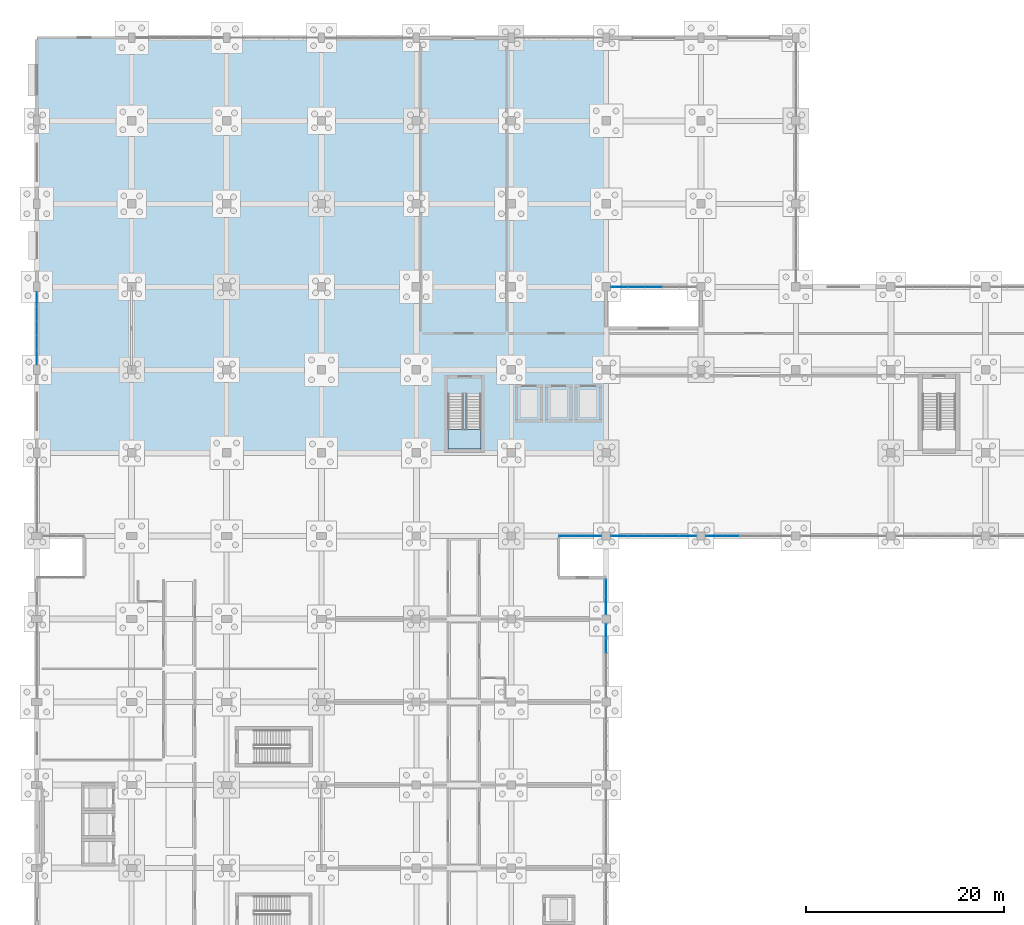
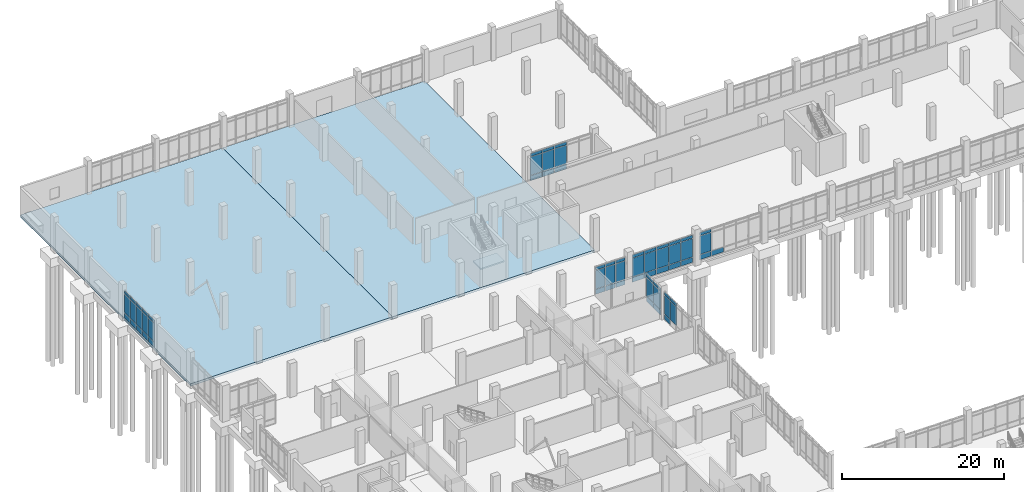
# One storey, part 78 of 136: 63 plates, 3 slabs, 8 elements without a shape of their own.
"""IFC4 building model written with IfcOpenShell, lengths in metres."""

from ifc_helpers import new_model, si_unit, direction, frame, origin, origin_2d, place, context, subcontext, project, spatial, polyline, rectangle, outline, extrude, material, layer, layer_set, type_object, element, aggregate, save


model = new_model("IFC4")

# Units and contexts
model_context = context("Model", 3, precision=1e-05, world=origin(), true_north=direction((0.0, 1.0)))
body_context = subcontext(model_context, "Body", "Model", "MODEL_VIEW")
ifc_project = project(units=[si_unit("LENGTHUNIT", "METRE"), si_unit("AREAUNIT", "SQUARE_METRE"), si_unit("VOLUMEUNIT", "CUBIC_METRE"), si_unit("PLANEANGLEUNIT", "RADIAN"), si_unit("MASSUNIT", "GRAM", prefix="KILO")], contexts=[model_context])

# Site, building, storey
site_placement = place(None, origin())
site = spatial("IfcSite", under=ifc_project, at=site_placement, CompositionType="ELEMENT")
building_placement = place(site_placement, origin())
building = spatial("IfcBuilding", under=site, at=building_placement, Name="Oolite Switchyard Hospital", CompositionType="ELEMENT")
storey_placement = place(building_placement, origin())
storey = spatial("IfcBuildingStorey", under=building, at=storey_placement, Name="L00", CompositionType="ELEMENT", Elevation=0.0)

# Curtain wall, plates
ifc_material_1 = material(Name="Thermally broken aluminum frame with laminated impact glazing", Category="aluminium")
curtain_wall_type_1 = type_object("IfcCurtainWallType", Name="CW-UNIT-96X51", PredefinedType="USERDEFINED", material=ifc_material_1)
curtain_wall_1_placement = place(storey_placement, origin())
curtain_wall_1 = element("IfcCurtainWall", 1, at=curtain_wall_1_placement, inside=storey, type_object=curtain_wall_type_1, Name="L00 Unitised Curtain Wall 30", ObjectType="UNITISED", PredefinedType="USERDEFINED")
ifc_material_2 = material(Name="Insulated fluoropolymer-coated aluminum spandrel panel", Category="aluminium")
ifc_layer_1 = layer(ifc_material_2, 0.054931640625)
ifc_layer_set_1 = layer_set([ifc_layer_1], Name="CW-PNL-SPN55")
plate_type_1 = type_object("IfcPlateType", Name="CW-PNL-SPN55", PredefinedType="CURTAIN_PANEL", material=ifc_layer_set_1)
plate_1_placement = place(storey_placement, frame((65.873046875, 84.0, 0.06005859375), z_axis=(0.0, 0.0, 1.0), x_axis=(-1.0, 0.0, 0.0)))
plate_1 = element("IfcPlate", 2, at=plate_1_placement, type_object=plate_type_1, Name="CW-01 panel 1.1", PredefinedType="CURTAIN_PANEL", context=body_context, shape_type="SweptSolid", body=[
    extrude(rectangle(XDim=1.654052734375, YDim=0.054931640625, at=origin_2d()), origin(), (0.0, 0.0, 1.0), 0.760009765625),
])
plate_2_placement = place(storey_placement, frame((65.873046875, 84.0, 0.8798828125), z_axis=(0.0, 0.0, 1.0), x_axis=(-1.0, 0.0, 0.0)))
plate_2 = element("IfcPlate", 3, at=plate_2_placement, type_object=plate_type_1, Name="CW-01 panel 1.2", PredefinedType="CURTAIN_PANEL", context=body_context, shape_type="SweptSolid", body=[
    extrude(rectangle(XDim=1.654052734375, YDim=0.054931640625, at=origin_2d()), origin(), (0.0, 0.0, 1.0), 2.780029296875),
])
plate_3_placement = place(storey_placement, frame((65.873046875, 84.0, 3.719970703125), z_axis=(0.0, 0.0, 1.0), x_axis=(-1.0, 0.0, 0.0)))
plate_3 = element("IfcPlate", 4, at=plate_3_placement, type_object=plate_type_1, Name="CW-01 panel 1.3", PredefinedType="CURTAIN_PANEL", context=body_context, shape_type="SweptSolid", body=[
    extrude(rectangle(XDim=1.654052734375, YDim=0.054931640625, at=origin_2d()), origin(), (0.0, 0.0, 1.0), 0.4599609375),
])
plate_4_placement = place(storey_placement, frame((64.14404296875, 84.0, 0.06005859375), z_axis=(0.0, 0.0, 1.0), x_axis=(-1.0, 0.0, 0.0)))
plate_4 = element("IfcPlate", 5, at=plate_4_placement, type_object=plate_type_1, Name="CW-01 panel 2.1", PredefinedType="CURTAIN_PANEL", context=body_context, shape_type="SweptSolid", body=[
    extrude(rectangle(XDim=1.68408203125, YDim=0.054931640625, at=origin_2d()), origin(), (0.0, 0.0, 1.0), 0.760009765625),
])
plate_5_placement = place(storey_placement, frame((64.14404296875, 84.0, 0.8798828125), z_axis=(0.0, 0.0, 1.0), x_axis=(-1.0, 0.0, 0.0)))
plate_5 = element("IfcPlate", 6, at=plate_5_placement, type_object=plate_type_1, Name="CW-01 panel 2.2", PredefinedType="CURTAIN_PANEL", context=body_context, shape_type="SweptSolid", body=[
    extrude(rectangle(XDim=1.68408203125, YDim=0.054931640625, at=origin_2d()), origin(), (0.0, 0.0, 1.0), 2.780029296875),
])
plate_6_placement = place(storey_placement, frame((64.14404296875, 84.0, 3.719970703125), z_axis=(0.0, 0.0, 1.0), x_axis=(-1.0, 0.0, 0.0)))
plate_6 = element("IfcPlate", 7, at=plate_6_placement, type_object=plate_type_1, Name="CW-01 panel 2.3", PredefinedType="CURTAIN_PANEL", context=body_context, shape_type="SweptSolid", body=[
    extrude(rectangle(XDim=1.68408203125, YDim=0.054931640625, at=origin_2d()), origin(), (0.0, 0.0, 1.0), 0.4599609375),
])
plate_7_placement = place(storey_placement, frame((62.39990234375, 84.0, 0.06005859375), z_axis=(0.0, 0.0, 1.0), x_axis=(-1.0, 0.0, 0.0)))
plate_7 = element("IfcPlate", 8, at=plate_7_placement, type_object=plate_type_1, Name="CW-01 panel 3.1", PredefinedType="CURTAIN_PANEL", context=body_context, shape_type="SweptSolid", body=[
    extrude(rectangle(XDim=1.68408203125, YDim=0.054931640625, at=origin_2d()), origin(), (0.0, 0.0, 1.0), 0.760009765625),
])
plate_8_placement = place(storey_placement, frame((62.39990234375, 84.0, 0.8798828125), z_axis=(0.0, 0.0, 1.0), x_axis=(-1.0, 0.0, 0.0)))
plate_8 = element("IfcPlate", 9, at=plate_8_placement, type_object=plate_type_1, Name="CW-01 panel 3.2", PredefinedType="CURTAIN_PANEL", context=body_context, shape_type="SweptSolid", body=[
    extrude(rectangle(XDim=1.68408203125, YDim=0.054931640625, at=origin_2d()), origin(), (0.0, 0.0, 1.0), 2.780029296875),
])
plate_9_placement = place(storey_placement, frame((62.39990234375, 84.0, 3.719970703125), z_axis=(0.0, 0.0, 1.0), x_axis=(-1.0, 0.0, 0.0)))
plate_9 = element("IfcPlate", 10, at=plate_9_placement, type_object=plate_type_1, Name="CW-01 panel 3.3", PredefinedType="CURTAIN_PANEL", context=body_context, shape_type="SweptSolid", body=[
    extrude(rectangle(XDim=1.68408203125, YDim=0.054931640625, at=origin_2d()), origin(), (0.0, 0.0, 1.0), 0.4599609375),
])
plate_10_placement = place(storey_placement, frame((60.656005859375, 84.0, 0.06005859375), z_axis=(0.0, 0.0, 1.0), x_axis=(-1.0, 0.0, 0.0)))
plate_10 = element("IfcPlate", 11, at=plate_10_placement, type_object=plate_type_1, Name="CW-01 panel 4.1", PredefinedType="CURTAIN_PANEL", context=body_context, shape_type="SweptSolid", body=[
    extrude(rectangle(XDim=1.68408203125, YDim=0.054931640625, at=origin_2d()), origin(), (0.0, 0.0, 1.0), 0.760009765625),
])
plate_11_placement = place(storey_placement, frame((60.656005859375, 84.0, 0.8798828125), z_axis=(0.0, 0.0, 1.0), x_axis=(-1.0, 0.0, 0.0)))
plate_11 = element("IfcPlate", 12, at=plate_11_placement, type_object=plate_type_1, Name="CW-01 panel 4.2", PredefinedType="CURTAIN_PANEL", context=body_context, shape_type="SweptSolid", body=[
    extrude(rectangle(XDim=1.68408203125, YDim=0.054931640625, at=origin_2d()), origin(), (0.0, 0.0, 1.0), 2.780029296875),
])
plate_12_placement = place(storey_placement, frame((60.656005859375, 84.0, 3.719970703125), z_axis=(0.0, 0.0, 1.0), x_axis=(-1.0, 0.0, 0.0)))
plate_12 = element("IfcPlate", 13, at=plate_12_placement, type_object=plate_type_1, Name="CW-01 panel 4.3", PredefinedType="CURTAIN_PANEL", context=body_context, shape_type="SweptSolid", body=[
    extrude(rectangle(XDim=1.68408203125, YDim=0.054931640625, at=origin_2d()), origin(), (0.0, 0.0, 1.0), 0.4599609375),
])
plate_13_placement = place(storey_placement, frame((58.927001953125, 84.0, 0.06005859375), z_axis=(0.0, 0.0, 1.0), x_axis=(-1.0, 0.0, 0.0)))
plate_13 = element("IfcPlate", 14, at=plate_13_placement, type_object=plate_type_1, Name="CW-01 panel 5.1", PredefinedType="CURTAIN_PANEL", context=body_context, shape_type="SweptSolid", body=[
    extrude(rectangle(XDim=1.654052734375, YDim=0.054931640625, at=origin_2d()), origin(), (0.0, 0.0, 1.0), 0.760009765625),
])
plate_14_placement = place(storey_placement, frame((58.927001953125, 84.0, 0.8798828125), z_axis=(0.0, 0.0, 1.0), x_axis=(-1.0, 0.0, 0.0)))
plate_14 = element("IfcPlate", 15, at=plate_14_placement, type_object=plate_type_1, Name="CW-01 panel 5.2", PredefinedType="CURTAIN_PANEL", context=body_context, shape_type="SweptSolid", body=[
    extrude(rectangle(XDim=1.654052734375, YDim=0.054931640625, at=origin_2d()), origin(), (0.0, 0.0, 1.0), 2.780029296875),
])
plate_15_placement = place(storey_placement, frame((58.927001953125, 84.0, 3.719970703125), z_axis=(0.0, 0.0, 1.0), x_axis=(-1.0, 0.0, 0.0)))
plate_15 = element("IfcPlate", 16, at=plate_15_placement, type_object=plate_type_1, Name="CW-01 panel 5.3", PredefinedType="CURTAIN_PANEL", context=body_context, shape_type="SweptSolid", body=[
    extrude(rectangle(XDim=1.654052734375, YDim=0.054931640625, at=origin_2d()), origin(), (0.0, 0.0, 1.0), 0.4599609375),
])
aggregate(curtain_wall_1, [plate_1, plate_2, plate_3, plate_4, plate_5, plate_6, plate_7, plate_8, plate_9, plate_10, plate_11, plate_12, plate_13, plate_14, plate_15])

curtain_wall_2_placement = place(storey_placement, origin())
curtain_wall_2 = element("IfcCurtainWall", 17, at=curtain_wall_2_placement, inside=storey, type_object=curtain_wall_type_1, Name="L00 Unitised Curtain Wall 41", ObjectType="UNITISED", PredefinedType="USERDEFINED")
ifc_layer_2 = layer(ifc_material_2, 0.070068359375)
ifc_layer_set_2 = layer_set([ifc_layer_2], Name="CW-PNL-SPN70")
plate_type_2 = type_object("IfcPlateType", Name="CW-PNL-SPN70", PredefinedType="CURTAIN_PANEL", material=ifc_layer_set_2)
plate_16_placement = place(storey_placement, frame((62.39990234375, 109.199951171875, 0.0751953125), z_axis=(0.0, 0.0, 1.0), x_axis=(-1.0, 0.0, 0.0)))
plate_16 = element("IfcPlate", 18, at=plate_16_placement, type_object=plate_type_2, Name="CW-01 panel 3.1", PredefinedType="CURTAIN_PANEL", context=body_context, shape_type="SweptSolid", body=[
    extrude(rectangle(XDim=1.6689453125, YDim=0.070068359375, at=origin_2d()), origin(), (0.0, 0.0, 1.0), 0.737548828125),
])
plate_17_placement = place(storey_placement, frame((62.39990234375, 109.199951171875, 0.8876953125), z_axis=(0.0, 0.0, 1.0), x_axis=(-1.0, 0.0, 0.0)))
plate_17 = element("IfcPlate", 19, at=plate_17_placement, type_object=plate_type_2, Name="CW-01 panel 3.2", PredefinedType="CURTAIN_PANEL", context=body_context, shape_type="SweptSolid", body=[
    extrude(rectangle(XDim=1.6689453125, YDim=0.070068359375, at=origin_2d()), origin(), (0.0, 0.0, 1.0), 2.764892578125),
])
plate_18_placement = place(storey_placement, frame((62.39990234375, 109.199951171875, 3.7275390625), z_axis=(0.0, 0.0, 1.0), x_axis=(-1.0, 0.0, 0.0)))
plate_18 = element("IfcPlate", 20, at=plate_18_placement, type_object=plate_type_2, Name="CW-01 panel 3.3", PredefinedType="CURTAIN_PANEL", context=body_context, shape_type="SweptSolid", body=[
    extrude(rectangle(XDim=1.6689453125, YDim=0.070068359375, at=origin_2d()), origin(), (0.0, 0.0, 1.0), 0.4375),
])
plate_19_placement = place(storey_placement, frame((60.656005859375, 109.199951171875, 0.0751953125), z_axis=(0.0, 0.0, 1.0), x_axis=(-1.0, 0.0, 0.0)))
plate_19 = element("IfcPlate", 21, at=plate_19_placement, type_object=plate_type_2, Name="CW-01 panel 4.1", PredefinedType="CURTAIN_PANEL", context=body_context, shape_type="SweptSolid", body=[
    extrude(rectangle(XDim=1.6689453125, YDim=0.070068359375, at=origin_2d()), origin(), (0.0, 0.0, 1.0), 0.737548828125),
])
plate_20_placement = place(storey_placement, frame((60.656005859375, 109.199951171875, 0.8876953125), z_axis=(0.0, 0.0, 1.0), x_axis=(-1.0, 0.0, 0.0)))
plate_20 = element("IfcPlate", 22, at=plate_20_placement, type_object=plate_type_2, Name="CW-01 panel 4.2", PredefinedType="CURTAIN_PANEL", context=body_context, shape_type="SweptSolid", body=[
    extrude(rectangle(XDim=1.6689453125, YDim=0.070068359375, at=origin_2d()), origin(), (0.0, 0.0, 1.0), 2.764892578125),
])
plate_21_placement = place(storey_placement, frame((60.656005859375, 109.199951171875, 3.7275390625), z_axis=(0.0, 0.0, 1.0), x_axis=(-1.0, 0.0, 0.0)))
plate_21 = element("IfcPlate", 23, at=plate_21_placement, type_object=plate_type_2, Name="CW-01 panel 4.3", PredefinedType="CURTAIN_PANEL", context=body_context, shape_type="SweptSolid", body=[
    extrude(rectangle(XDim=1.6689453125, YDim=0.070068359375, at=origin_2d()), origin(), (0.0, 0.0, 1.0), 0.4375),
])
plate_22_placement = place(storey_placement, frame((58.9306640625, 109.199951171875, 0.0751953125), z_axis=(0.0, 0.0, 1.0), x_axis=(-1.0, 0.0, 0.0)))
plate_22 = element("IfcPlate", 24, at=plate_22_placement, type_object=plate_type_2, Name="CW-01 panel 5.1", PredefinedType="CURTAIN_PANEL", context=body_context, shape_type="SweptSolid", body=[
    extrude(rectangle(XDim=1.631591796875, YDim=0.070068359375, at=origin_2d()), origin(), (0.0, 0.0, 1.0), 0.737548828125),
])
plate_23_placement = place(storey_placement, frame((58.9306640625, 109.199951171875, 0.8876953125), z_axis=(0.0, 0.0, 1.0), x_axis=(-1.0, 0.0, 0.0)))
plate_23 = element("IfcPlate", 25, at=plate_23_placement, type_object=plate_type_2, Name="CW-01 panel 5.2", PredefinedType="CURTAIN_PANEL", context=body_context, shape_type="SweptSolid", body=[
    extrude(rectangle(XDim=1.631591796875, YDim=0.070068359375, at=origin_2d()), origin(), (0.0, 0.0, 1.0), 2.764892578125),
])
plate_24_placement = place(storey_placement, frame((58.9306640625, 109.199951171875, 3.7275390625), z_axis=(0.0, 0.0, 1.0), x_axis=(-1.0, 0.0, 0.0)))
plate_24 = element("IfcPlate", 26, at=plate_24_placement, type_object=plate_type_2, Name="CW-01 panel 5.3", PredefinedType="CURTAIN_PANEL", context=body_context, shape_type="SweptSolid", body=[
    extrude(rectangle(XDim=1.631591796875, YDim=0.070068359375, at=origin_2d()), origin(), (0.0, 0.0, 1.0), 0.4375),
])
aggregate(curtain_wall_2, [plate_16, plate_17, plate_18, plate_19, plate_20, plate_21, plate_22, plate_23, plate_24])

curtain_wall_type_2 = type_object("IfcCurtainWallType", Name="CW-UNIT-84X51", PredefinedType="USERDEFINED", material=ifc_material_1)
curtain_wall_3_placement = place(storey_placement, origin())
curtain_wall_3 = element("IfcCurtainWall", 27, at=curtain_wall_3_placement, inside=storey, type_object=curtain_wall_type_2, Name="L00 Unitised Curtain Wall 62", ObjectType="UNITISED", PredefinedType="USERDEFINED")
plate_25_placement = place(storey_placement, frame((57.60009765625, 74.38916015625, 0.06005859375), z_axis=(0.0, 0.0, 1.0), x_axis=(0.0, -1.0, 0.0)))
plate_25 = element("IfcPlate", 28, at=plate_25_placement, type_object=plate_type_2, Name="CW-06 panel 1.1", PredefinedType="CURTAIN_PANEL", context=body_context, shape_type="SweptSolid", body=[
    extrude(rectangle(XDim=1.3916015625, YDim=0.070068359375, at=origin_2d()), origin(), (0.0, 0.0, 1.0), 0.760009765625),
])
plate_26_placement = place(storey_placement, frame((57.60009765625, 74.38916015625, 0.8798828125), z_axis=(0.0, 0.0, 1.0), x_axis=(0.0, -1.0, 0.0)))
plate_26 = element("IfcPlate", 29, at=plate_26_placement, type_object=plate_type_2, Name="CW-06 panel 1.2", PredefinedType="CURTAIN_PANEL", context=body_context, shape_type="SweptSolid", body=[
    extrude(rectangle(XDim=1.3916015625, YDim=0.070068359375, at=origin_2d()), origin(), (0.0, 0.0, 1.0), 2.780029296875),
])
plate_27_placement = place(storey_placement, frame((57.60009765625, 74.38916015625, 3.719970703125), z_axis=(0.0, 0.0, 1.0), x_axis=(0.0, -1.0, 0.0)))
plate_27 = element("IfcPlate", 30, at=plate_27_placement, type_object=plate_type_2, Name="CW-06 panel 1.3", PredefinedType="CURTAIN_PANEL", context=body_context, shape_type="SweptSolid", body=[
    extrude(rectangle(XDim=1.3916015625, YDim=0.070068359375, at=origin_2d()), origin(), (0.0, 0.0, 1.0), 0.4599609375),
])
plate_28_placement = place(storey_placement, frame((57.60009765625, 72.904052734375, 0.8798828125), z_axis=(0.0, 0.0, 1.0), x_axis=(0.0, -1.0, 0.0)))
plate_28 = element("IfcPlate", 31, at=plate_28_placement, type_object=plate_type_2, Name="CW-06 panel 2.2", PredefinedType="CURTAIN_PANEL", context=body_context, shape_type="SweptSolid", body=[
    extrude(rectangle(XDim=1.428955078125, YDim=0.070068359375, at=origin_2d()), origin(), (0.0, 0.0, 1.0), 2.780029296875),
])
plate_29_placement = place(storey_placement, frame((57.60009765625, 72.904052734375, 3.719970703125), z_axis=(0.0, 0.0, 1.0), x_axis=(0.0, -1.0, 0.0)))
plate_29 = element("IfcPlate", 32, at=plate_29_placement, type_object=plate_type_2, Name="CW-06 panel 2.3", PredefinedType="CURTAIN_PANEL", context=body_context, shape_type="SweptSolid", body=[
    extrude(rectangle(XDim=1.428955078125, YDim=0.070068359375, at=origin_2d()), origin(), (0.0, 0.0, 1.0), 0.4599609375),
])
aggregate(curtain_wall_3, [plate_25, plate_26, plate_27, plate_28, plate_29])

curtain_wall_4_placement = place(storey_placement, origin())
curtain_wall_4 = element("IfcCurtainWall", 33, at=curtain_wall_4_placement, inside=storey, type_object=curtain_wall_type_1, Name="L00 Unitised Curtain Wall 31", ObjectType="UNITISED", PredefinedType="USERDEFINED")
ifc_material_3 = material(Name="Laminated hurricane-impact insulated glazing unit", Category="glass")
ifc_layer_3 = layer(ifc_material_3, 0.028076171875)
ifc_layer_set_3 = layer_set([ifc_layer_3], Name="CW-PNL-VIS28")
plate_type_3 = type_object("IfcPlateType", Name="CW-PNL-VIS28", PredefinedType="CURTAIN_PANEL", material=ifc_layer_set_3)
plate_30_placement = place(storey_placement, frame((70.256103515625, 84.0, 0.0751953125), z_axis=(0.0, 0.0, 1.0), x_axis=(-1.0, 0.0, 0.0)))
plate_30 = element("IfcPlate", 34, at=plate_30_placement, type_object=plate_type_3, Name="CW-01 panel 4.1", PredefinedType="CURTAIN_PANEL", context=body_context, shape_type="SweptSolid", body=[
    extrude(rectangle(XDim=1.674072265625, YDim=0.028076171875, at=origin_2d()), origin(), (0.0, 0.0, 1.0), 0.737548828125),
])
plate_31_placement = place(storey_placement, frame((68.529541015625, 84.0, 0.0751953125), z_axis=(0.0, 0.0, 1.0), x_axis=(-1.0, 0.0, 0.0)))
plate_31 = element("IfcPlate", 35, at=plate_31_placement, type_object=plate_type_3, Name="CW-01 panel 5.1", PredefinedType="CURTAIN_PANEL", context=body_context, shape_type="SweptSolid", body=[
    extrude(rectangle(XDim=1.638916015625, YDim=0.028076171875, at=origin_2d()), origin(), (0.0, 0.0, 1.0), 0.737548828125),
])
plate_32_placement = place(storey_placement, frame((68.529541015625, 84.0, 0.8876953125), z_axis=(0.0, 0.0, 1.0), x_axis=(-1.0, 0.0, 0.0)))
plate_32 = element("IfcPlate", 36, at=plate_32_placement, type_object=plate_type_3, Name="CW-01 panel 5.2", PredefinedType="CURTAIN_PANEL", context=body_context, shape_type="SweptSolid", body=[
    extrude(rectangle(XDim=1.638916015625, YDim=0.028076171875, at=origin_2d()), origin(), (0.0, 0.0, 1.0), 2.764892578125),
])
plate_33_placement = place(storey_placement, frame((68.529541015625, 84.0, 3.7275390625), z_axis=(0.0, 0.0, 1.0), x_axis=(-1.0, 0.0, 0.0)))
plate_33 = element("IfcPlate", 37, at=plate_33_placement, type_object=plate_type_3, Name="CW-01 panel 5.3", PredefinedType="CURTAIN_PANEL", context=body_context, shape_type="SweptSolid", body=[
    extrude(rectangle(XDim=1.638916015625, YDim=0.028076171875, at=origin_2d()), origin(), (0.0, 0.0, 1.0), 0.4375),
])
aggregate(curtain_wall_4, [plate_30, plate_31, plate_32, plate_33])

curtain_wall_5_placement = place(storey_placement, origin())
curtain_wall_5 = element("IfcCurtainWall", 38, at=curtain_wall_5_placement, inside=storey, type_object=curtain_wall_type_2, Name="L00 Unitised Curtain Wall 57", ObjectType="UNITISED", PredefinedType="USERDEFINED")
ifc_layer_4 = layer(ifc_material_3, 0.031982421875)
ifc_layer_set_4 = layer_set([ifc_layer_4], Name="CW-PNL-VIS32")
plate_type_4 = type_object("IfcPlateType", Name="CW-PNL-VIS32", PredefinedType="CURTAIN_PANEL", material=ifc_layer_set_4)
plate_34_placement = place(storey_placement, frame((0.0, 102.047119140625, 0.0751953125), z_axis=(0.0, 0.0, 1.0), x_axis=(0.0, 1.0, 0.0)))
plate_34 = element("IfcPlate", 39, at=plate_34_placement, type_object=plate_type_4, Name="CW-06 panel 1.1", PredefinedType="CURTAIN_PANEL", context=body_context, shape_type="SweptSolid", body=[
    extrude(rectangle(XDim=1.39404296875, YDim=0.031982421875, at=origin_2d()), origin(), (0.0, 0.0, 1.0), 0.737548828125),
])
plate_35_placement = place(storey_placement, frame((0.0, 102.047119140625, 0.8876953125), z_axis=(0.0, 0.0, 1.0), x_axis=(0.0, 1.0, 0.0)))
plate_35 = element("IfcPlate", 40, at=plate_35_placement, type_object=plate_type_4, Name="CW-06 panel 1.2", PredefinedType="CURTAIN_PANEL", context=body_context, shape_type="SweptSolid", body=[
    extrude(rectangle(XDim=1.39404296875, YDim=0.031982421875, at=origin_2d()), origin(), (0.0, 0.0, 1.0), 2.764892578125),
])
plate_36_placement = place(storey_placement, frame((0.0, 102.047119140625, 3.7275390625), z_axis=(0.0, 0.0, 1.0), x_axis=(0.0, 1.0, 0.0)))
plate_36 = element("IfcPlate", 41, at=plate_36_placement, type_object=plate_type_4, Name="CW-06 panel 1.3", PredefinedType="CURTAIN_PANEL", context=body_context, shape_type="SweptSolid", body=[
    extrude(rectangle(XDim=1.39404296875, YDim=0.031982421875, at=origin_2d()), origin(), (0.0, 0.0, 1.0), 0.4375),
])
plate_37_placement = place(storey_placement, frame((0.0, 103.51611328125, 0.0751953125), z_axis=(0.0, 0.0, 1.0), x_axis=(0.0, 1.0, 0.0)))
plate_37 = element("IfcPlate", 42, at=plate_37_placement, type_object=plate_type_4, Name="CW-06 panel 2.1", PredefinedType="CURTAIN_PANEL", context=body_context, shape_type="SweptSolid", body=[
    extrude(rectangle(XDim=1.424072265625, YDim=0.031982421875, at=origin_2d()), origin(), (0.0, 0.0, 1.0), 0.737548828125),
])
plate_38_placement = place(storey_placement, frame((0.0, 103.51611328125, 0.8876953125), z_axis=(0.0, 0.0, 1.0), x_axis=(0.0, 1.0, 0.0)))
plate_38 = element("IfcPlate", 43, at=plate_38_placement, type_object=plate_type_4, Name="CW-06 panel 2.2", PredefinedType="CURTAIN_PANEL", context=body_context, shape_type="SweptSolid", body=[
    extrude(rectangle(XDim=1.424072265625, YDim=0.031982421875, at=origin_2d()), origin(), (0.0, 0.0, 1.0), 2.764892578125),
])
plate_39_placement = place(storey_placement, frame((0.0, 103.51611328125, 3.7275390625), z_axis=(0.0, 0.0, 1.0), x_axis=(0.0, 1.0, 0.0)))
plate_39 = element("IfcPlate", 44, at=plate_39_placement, type_object=plate_type_4, Name="CW-06 panel 2.3", PredefinedType="CURTAIN_PANEL", context=body_context, shape_type="SweptSolid", body=[
    extrude(rectangle(XDim=1.424072265625, YDim=0.031982421875, at=origin_2d()), origin(), (0.0, 0.0, 1.0), 0.4375),
])
plate_40_placement = place(storey_placement, frame((0.0, 105.0, 0.0751953125), z_axis=(0.0, 0.0, 1.0), x_axis=(0.0, 1.0, 0.0)))
plate_40 = element("IfcPlate", 45, at=plate_40_placement, type_object=plate_type_4, Name="CW-06 panel 3.1", PredefinedType="CURTAIN_PANEL", context=body_context, shape_type="SweptSolid", body=[
    extrude(rectangle(XDim=1.424072265625, YDim=0.031982421875, at=origin_2d()), origin(), (0.0, 0.0, 1.0), 0.737548828125),
])
plate_41_placement = place(storey_placement, frame((0.0, 105.0, 0.8876953125), z_axis=(0.0, 0.0, 1.0), x_axis=(0.0, 1.0, 0.0)))
plate_41 = element("IfcPlate", 46, at=plate_41_placement, type_object=plate_type_4, Name="CW-06 panel 3.2", PredefinedType="CURTAIN_PANEL", context=body_context, shape_type="SweptSolid", body=[
    extrude(rectangle(XDim=1.424072265625, YDim=0.031982421875, at=origin_2d()), origin(), (0.0, 0.0, 1.0), 2.764892578125),
])
plate_42_placement = place(storey_placement, frame((0.0, 105.0, 3.7275390625), z_axis=(0.0, 0.0, 1.0), x_axis=(0.0, 1.0, 0.0)))
plate_42 = element("IfcPlate", 47, at=plate_42_placement, type_object=plate_type_4, Name="CW-06 panel 3.3", PredefinedType="CURTAIN_PANEL", context=body_context, shape_type="SweptSolid", body=[
    extrude(rectangle(XDim=1.424072265625, YDim=0.031982421875, at=origin_2d()), origin(), (0.0, 0.0, 1.0), 0.4375),
])
plate_43_placement = place(storey_placement, frame((0.0, 106.48388671875, 0.0751953125), z_axis=(0.0, 0.0, 1.0), x_axis=(0.0, 1.0, 0.0)))
plate_43 = element("IfcPlate", 48, at=plate_43_placement, type_object=plate_type_4, Name="CW-06 panel 4.1", PredefinedType="CURTAIN_PANEL", context=body_context, shape_type="SweptSolid", body=[
    extrude(rectangle(XDim=1.424072265625, YDim=0.031982421875, at=origin_2d()), origin(), (0.0, 0.0, 1.0), 0.737548828125),
])
plate_44_placement = place(storey_placement, frame((0.0, 106.48388671875, 0.8876953125), z_axis=(0.0, 0.0, 1.0), x_axis=(0.0, 1.0, 0.0)))
plate_44 = element("IfcPlate", 49, at=plate_44_placement, type_object=plate_type_4, Name="CW-06 panel 4.2", PredefinedType="CURTAIN_PANEL", context=body_context, shape_type="SweptSolid", body=[
    extrude(rectangle(XDim=1.424072265625, YDim=0.031982421875, at=origin_2d()), origin(), (0.0, 0.0, 1.0), 2.764892578125),
])
plate_45_placement = place(storey_placement, frame((0.0, 106.48388671875, 3.7275390625), z_axis=(0.0, 0.0, 1.0), x_axis=(0.0, 1.0, 0.0)))
plate_45 = element("IfcPlate", 50, at=plate_45_placement, type_object=plate_type_4, Name="CW-06 panel 4.3", PredefinedType="CURTAIN_PANEL", context=body_context, shape_type="SweptSolid", body=[
    extrude(rectangle(XDim=1.424072265625, YDim=0.031982421875, at=origin_2d()), origin(), (0.0, 0.0, 1.0), 0.4375),
])
plate_46_placement = place(storey_placement, frame((0.0, 107.952880859375, 0.0751953125), z_axis=(0.0, 0.0, 1.0), x_axis=(0.0, 1.0, 0.0)))
plate_46 = element("IfcPlate", 51, at=plate_46_placement, type_object=plate_type_4, Name="CW-06 panel 5.1", PredefinedType="CURTAIN_PANEL", context=body_context, shape_type="SweptSolid", body=[
    extrude(rectangle(XDim=1.39404296875, YDim=0.031982421875, at=origin_2d()), origin(), (0.0, 0.0, 1.0), 0.737548828125),
])
plate_47_placement = place(storey_placement, frame((0.0, 107.952880859375, 0.8876953125), z_axis=(0.0, 0.0, 1.0), x_axis=(0.0, 1.0, 0.0)))
plate_47 = element("IfcPlate", 52, at=plate_47_placement, type_object=plate_type_4, Name="CW-06 panel 5.2", PredefinedType="CURTAIN_PANEL", context=body_context, shape_type="SweptSolid", body=[
    extrude(rectangle(XDim=1.39404296875, YDim=0.031982421875, at=origin_2d()), origin(), (0.0, 0.0, 1.0), 2.764892578125),
])
plate_48_placement = place(storey_placement, frame((0.0, 107.952880859375, 3.7275390625), z_axis=(0.0, 0.0, 1.0), x_axis=(0.0, 1.0, 0.0)))
plate_48 = element("IfcPlate", 53, at=plate_48_placement, type_object=plate_type_4, Name="CW-06 panel 5.3", PredefinedType="CURTAIN_PANEL", context=body_context, shape_type="SweptSolid", body=[
    extrude(rectangle(XDim=1.39404296875, YDim=0.031982421875, at=origin_2d()), origin(), (0.0, 0.0, 1.0), 0.4375),
])
aggregate(curtain_wall_5, [plate_34, plate_35, plate_36, plate_37, plate_38, plate_39, plate_40, plate_41, plate_42, plate_43, plate_44, plate_45, plate_46, plate_47, plate_48])

curtain_wall_6_placement = place(storey_placement, origin())
curtain_wall_6 = element("IfcCurtainWall", 54, at=curtain_wall_6_placement, inside=storey, type_object=curtain_wall_type_2, Name="L00 Unitised Curtain Wall 63", ObjectType="UNITISED", PredefinedType="USERDEFINED")
plate_49_placement = place(storey_placement, frame((57.60009765625, 78.72509765625, 0.0751953125), z_axis=(0.0, 0.0, 1.0), x_axis=(0.0, -1.0, 0.0)))
plate_49 = element("IfcPlate", 55, at=plate_49_placement, type_object=plate_type_4, Name="CW-06 panel 1.1", PredefinedType="CURTAIN_PANEL", context=body_context, shape_type="SweptSolid", body=[
    extrude(rectangle(XDim=1.7099609375, YDim=0.031982421875, at=origin_2d()), origin(), (0.0, 0.0, 1.0), 0.737548828125),
])
plate_50_placement = place(storey_placement, frame((57.60009765625, 78.72509765625, 0.8876953125), z_axis=(0.0, 0.0, 1.0), x_axis=(0.0, -1.0, 0.0)))
plate_50 = element("IfcPlate", 56, at=plate_50_placement, type_object=plate_type_4, Name="CW-06 panel 1.2", PredefinedType="CURTAIN_PANEL", context=body_context, shape_type="SweptSolid", body=[
    extrude(rectangle(XDim=1.7099609375, YDim=0.031982421875, at=origin_2d()), origin(), (0.0, 0.0, 1.0), 2.764892578125),
])
plate_51_placement = place(storey_placement, frame((57.60009765625, 78.72509765625, 3.7275390625), z_axis=(0.0, 0.0, 1.0), x_axis=(0.0, -1.0, 0.0)))
plate_51 = element("IfcPlate", 57, at=plate_51_placement, type_object=plate_type_4, Name="CW-06 panel 1.3", PredefinedType="CURTAIN_PANEL", context=body_context, shape_type="SweptSolid", body=[
    extrude(rectangle(XDim=1.7099609375, YDim=0.031982421875, at=origin_2d()), origin(), (0.0, 0.0, 1.0), 0.4375),
])
plate_52_placement = place(storey_placement, frame((57.60009765625, 76.955078125, 0.0751953125), z_axis=(0.0, 0.0, 1.0), x_axis=(0.0, -1.0, 0.0)))
plate_52 = element("IfcPlate", 58, at=plate_52_placement, type_object=plate_type_4, Name="CW-06 panel 2.1", PredefinedType="CURTAIN_PANEL", context=body_context, shape_type="SweptSolid", body=[
    extrude(rectangle(XDim=1.7099609375, YDim=0.031982421875, at=origin_2d()), origin(), (0.0, 0.0, 1.0), 0.737548828125),
])
plate_53_placement = place(storey_placement, frame((57.60009765625, 76.955078125, 0.8876953125), z_axis=(0.0, 0.0, 1.0), x_axis=(0.0, -1.0, 0.0)))
plate_53 = element("IfcPlate", 59, at=plate_53_placement, type_object=plate_type_4, Name="CW-06 panel 2.2", PredefinedType="CURTAIN_PANEL", context=body_context, shape_type="SweptSolid", body=[
    extrude(rectangle(XDim=1.7099609375, YDim=0.031982421875, at=origin_2d()), origin(), (0.0, 0.0, 1.0), 2.764892578125),
])
plate_54_placement = place(storey_placement, frame((57.60009765625, 76.955078125, 3.7275390625), z_axis=(0.0, 0.0, 1.0), x_axis=(0.0, -1.0, 0.0)))
plate_54 = element("IfcPlate", 60, at=plate_54_placement, type_object=plate_type_4, Name="CW-06 panel 2.3", PredefinedType="CURTAIN_PANEL", context=body_context, shape_type="SweptSolid", body=[
    extrude(rectangle(XDim=1.7099609375, YDim=0.031982421875, at=origin_2d()), origin(), (0.0, 0.0, 1.0), 0.4375),
])
aggregate(curtain_wall_6, [plate_49, plate_50, plate_51, plate_52, plate_53, plate_54])

curtain_wall_7_placement = place(storey_placement, origin())
curtain_wall_7 = element("IfcCurtainWall", 61, at=curtain_wall_7_placement, inside=storey, type_object=curtain_wall_type_2, Name="L00 Unitised Curtain Wall 29", ObjectType="UNITISED", PredefinedType="USERDEFINED")
ifc_layer_5 = layer(ifc_material_3, 0.035888671875)
ifc_layer_set_5 = layer_set([ifc_layer_5], Name="CW-PNL-VIS36")
plate_type_5 = type_object("IfcPlateType", Name="CW-PNL-VIS36", PredefinedType="CURTAIN_PANEL", material=ifc_layer_set_5)
plate_55_placement = place(storey_placement, frame((56.41455078125, 84.0, 0.0751953125), z_axis=(0.0, 0.0, 1.0), x_axis=(-1.0, 0.0, 0.0)))
plate_55 = element("IfcPlate", 62, at=plate_55_placement, type_object=plate_type_5, Name="CW-06 panel 1.1", PredefinedType="CURTAIN_PANEL", context=body_context, shape_type="SweptSolid", body=[
    extrude(rectangle(XDim=1.3408203125, YDim=0.035888671875, at=origin_2d()), origin(), (0.0, 0.0, 1.0), 0.737548828125),
])
plate_56_placement = place(storey_placement, frame((56.41455078125, 84.0, 0.8876953125), z_axis=(0.0, 0.0, 1.0), x_axis=(-1.0, 0.0, 0.0)))
plate_56 = element("IfcPlate", 63, at=plate_56_placement, type_object=plate_type_5, Name="CW-06 panel 1.2", PredefinedType="CURTAIN_PANEL", context=body_context, shape_type="SweptSolid", body=[
    extrude(rectangle(XDim=1.3408203125, YDim=0.035888671875, at=origin_2d()), origin(), (0.0, 0.0, 1.0), 2.764892578125),
])
plate_57_placement = place(storey_placement, frame((56.41455078125, 84.0, 3.7275390625), z_axis=(0.0, 0.0, 1.0), x_axis=(-1.0, 0.0, 0.0)))
plate_57 = element("IfcPlate", 64, at=plate_57_placement, type_object=plate_type_5, Name="CW-06 panel 1.3", PredefinedType="CURTAIN_PANEL", context=body_context, shape_type="SweptSolid", body=[
    extrude(rectangle(XDim=1.3408203125, YDim=0.035888671875, at=origin_2d()), origin(), (0.0, 0.0, 1.0), 0.4375),
])
plate_58_placement = place(storey_placement, frame((54.97998046875, 84.0, 0.0751953125), z_axis=(0.0, 0.0, 1.0), x_axis=(-1.0, 0.0, 0.0)))
plate_58 = element("IfcPlate", 65, at=plate_58_placement, type_object=plate_type_5, Name="CW-06 panel 2.1", PredefinedType="CURTAIN_PANEL", context=body_context, shape_type="SweptSolid", body=[
    extrude(rectangle(XDim=1.37841796875, YDim=0.035888671875, at=origin_2d()), origin(), (0.0, 0.0, 1.0), 0.737548828125),
])
plate_59_placement = place(storey_placement, frame((54.97998046875, 84.0, 0.8876953125), z_axis=(0.0, 0.0, 1.0), x_axis=(-1.0, 0.0, 0.0)))
plate_59 = element("IfcPlate", 66, at=plate_59_placement, type_object=plate_type_5, Name="CW-06 panel 2.2", PredefinedType="CURTAIN_PANEL", context=body_context, shape_type="SweptSolid", body=[
    extrude(rectangle(XDim=1.37841796875, YDim=0.035888671875, at=origin_2d()), origin(), (0.0, 0.0, 1.0), 2.764892578125),
])
plate_60_placement = place(storey_placement, frame((54.97998046875, 84.0, 3.7275390625), z_axis=(0.0, 0.0, 1.0), x_axis=(-1.0, 0.0, 0.0)))
plate_60 = element("IfcPlate", 67, at=plate_60_placement, type_object=plate_type_5, Name="CW-06 panel 2.3", PredefinedType="CURTAIN_PANEL", context=body_context, shape_type="SweptSolid", body=[
    extrude(rectangle(XDim=1.37841796875, YDim=0.035888671875, at=origin_2d()), origin(), (0.0, 0.0, 1.0), 0.4375),
])
plate_61_placement = place(storey_placement, frame((53.54541015625, 84.0, 0.0751953125), z_axis=(0.0, 0.0, 1.0), x_axis=(-1.0, 0.0, 0.0)))
plate_61 = element("IfcPlate", 68, at=plate_61_placement, type_object=plate_type_5, Name="CW-06 panel 3.1", PredefinedType="CURTAIN_PANEL", context=body_context, shape_type="SweptSolid", body=[
    extrude(rectangle(XDim=1.3408203125, YDim=0.035888671875, at=origin_2d()), origin(), (0.0, 0.0, 1.0), 0.737548828125),
])
plate_62_placement = place(storey_placement, frame((53.54541015625, 84.0, 0.8876953125), z_axis=(0.0, 0.0, 1.0), x_axis=(-1.0, 0.0, 0.0)))
plate_62 = element("IfcPlate", 69, at=plate_62_placement, type_object=plate_type_5, Name="CW-06 panel 3.2", PredefinedType="CURTAIN_PANEL", context=body_context, shape_type="SweptSolid", body=[
    extrude(rectangle(XDim=1.3408203125, YDim=0.035888671875, at=origin_2d()), origin(), (0.0, 0.0, 1.0), 2.764892578125),
])
plate_63_placement = place(storey_placement, frame((53.54541015625, 84.0, 3.7275390625), z_axis=(0.0, 0.0, 1.0), x_axis=(-1.0, 0.0, 0.0)))
plate_63 = element("IfcPlate", 70, at=plate_63_placement, type_object=plate_type_5, Name="CW-06 panel 3.3", PredefinedType="CURTAIN_PANEL", context=body_context, shape_type="SweptSolid", body=[
    extrude(rectangle(XDim=1.3408203125, YDim=0.035888671875, at=origin_2d()), origin(), (0.0, 0.0, 1.0), 0.4375),
])
aggregate(curtain_wall_7, [plate_55, plate_56, plate_57, plate_58, plate_59, plate_60, plate_61, plate_62, plate_63])

# Slabs
ifc_material_4 = material(Name="Concrete C40/50", Category="concrete")
ifc_layer_6 = layer(ifc_material_4, 0.35009765625)
ifc_layer_set_6 = layer_set([ifc_layer_6], Name="SLB-BASE-350")
slab_type_1 = type_object("IfcSlabType", Name="SLB-BASE-350", PredefinedType="BASESLAB", material=ifc_layer_set_6)
slab_1_placement = place(storey_placement, frame((0.0, 0.0, -0.35009765625)))
element("IfcSlab", 71, at=slab_1_placement, inside=storey, type_object=slab_type_1, Name="L00 V3 Slab V3P1", PredefinedType="BASESLAB", context=body_context, shape_type="SweptSolid", body=[
    extrude(outline(polyline([(0.0, 92.39990234375), (28.800048828125, 92.39990234375), (28.800048828125, 134.39990234375), (0.0, 134.39990234375), (0.0, 92.39990234375)])), origin(), (0.0, 0.0, 1.0), 0.35009765625),
])
slab_2_placement = place(storey_placement, frame((0.0, 0.0, -0.35009765625)))
element("IfcSlab", 72, at=slab_2_placement, inside=storey, type_object=slab_type_1, Name="L00 V3 Slab V3P2", PredefinedType="BASESLAB", context=body_context, shape_type="SweptSolid", body=[
    extrude(outline(polyline([(28.800048828125, 92.39990234375), (57.60009765625, 92.39990234375), (57.60009765625, 134.39990234375), (28.800048828125, 134.39990234375), (28.800048828125, 92.39990234375)])), origin(), (0.0, 0.0, 1.0), 0.35009765625),
])

# Stair, slab
stair_type = type_object("IfcStairType", Name="STR-DL-156-R28", PredefinedType="HALF_TURN_STAIR", material=ifc_material_4)
stair_placement = place(storey_placement, origin())
stair = element("IfcStair", 73, at=stair_placement, inside=storey, type_object=stair_type, Name="L00 Exit Stair ST-07", PredefinedType="HALF_TURN_STAIR")
ifc_layer_7 = layer(ifc_material_4, 0.199951171875)
ifc_layer_set_7 = layer_set([ifc_layer_7], Name="SLB-LND-200")
slab_type_2 = type_object("IfcSlabType", Name="SLB-LND-200", PredefinedType="LANDING", material=ifc_layer_set_7)
slab_3_placement = place(storey_placement, frame((0.0, 0.0, 2.35009765625)))
slab_3 = element("IfcSlab", 74, at=slab_3_placement, type_object=slab_type_2, Name="ST-07 landing 1", PredefinedType="LANDING", context=body_context, shape_type="SweptSolid", body=[
    extrude(outline(polyline([(41.60009765625, 94.75), (41.60009765625, 92.800048828125), (44.9599609375, 92.800048828125), (44.9599609375, 94.75), (41.60009765625, 94.75)])), origin(), (0.0, 0.0, 1.0), 0.199951171875),
])
aggregate(stair, [slab_3])

save(model, "model.ifc")
